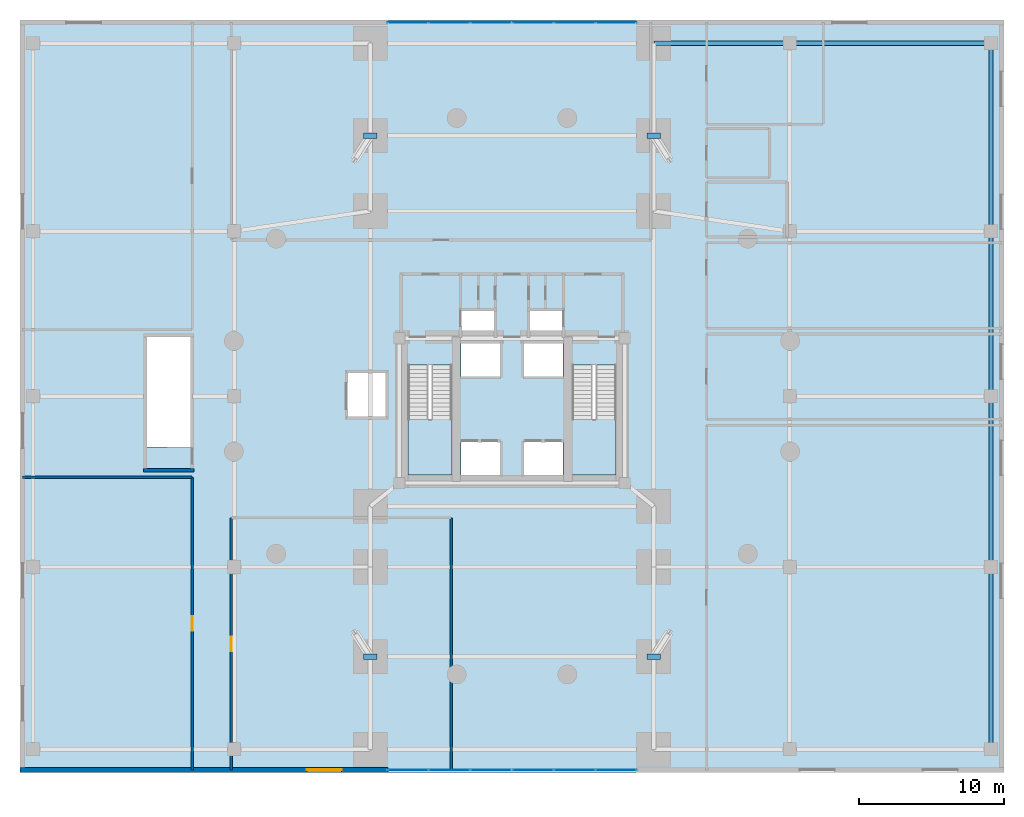
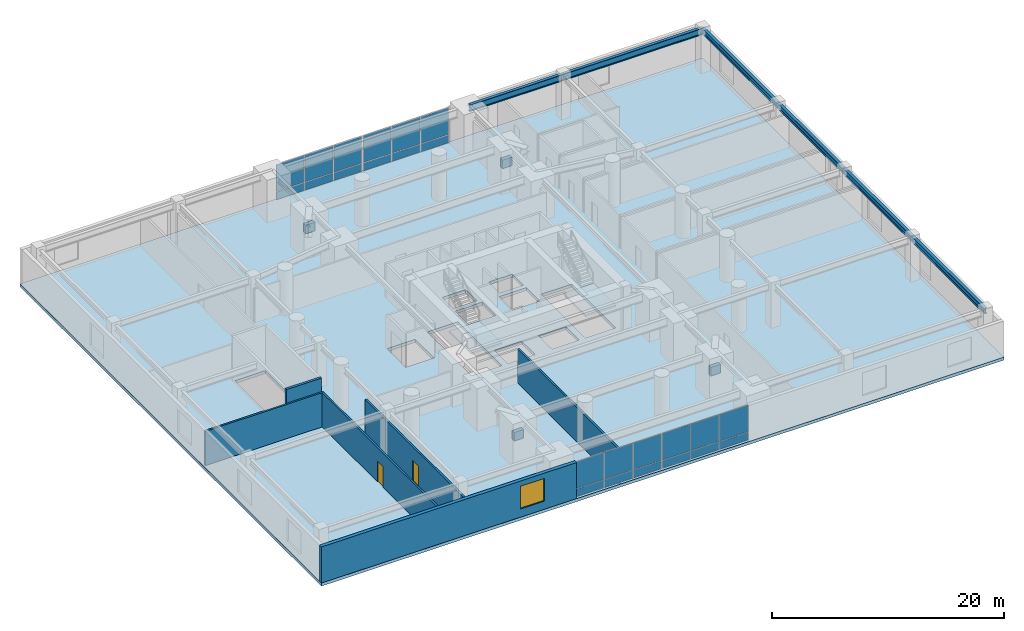
# One storey, part 13 of 17: 28 plates, 6 beams, 6 walls, 3 slabs, 2 doors, 1 window, 3 openings, 6 elements without a shape of their own.
"""IFC4 building model written with IfcOpenShell, lengths in metres."""

from ifc_helpers import new_model, si_unit, direction, frame, frame_2d, origin, origin_2d, place, context, subcontext, project, spatial, polyline, rectangle, i_section, outline, extrude, material, layer, layer_set, material_profile, profile_set, type_object, element, fill, aggregate, save


model = new_model("IFC4")

# Units and contexts
model_context = context("Model", 3, precision=1e-05, world=origin(), true_north=direction((0.0, 1.0)))
body_context = subcontext(model_context, "Body", "Model", "MODEL_VIEW")
ifc_project = project(units=[si_unit("LENGTHUNIT", "METRE"), si_unit("AREAUNIT", "SQUARE_METRE"), si_unit("VOLUMEUNIT", "CUBIC_METRE"), si_unit("PLANEANGLEUNIT", "RADIAN"), si_unit("MASSUNIT", "GRAM", prefix="KILO"), si_unit("THERMODYNAMICTEMPERATUREUNIT", "KELVIN"), si_unit("POWERUNIT", "WATT")], contexts=[model_context])

# Site, building, storey
site_placement = place(None, origin())
site = spatial("IfcSite", under=ifc_project, at=site_placement, CompositionType="ELEMENT")
building_placement = place(site_placement, origin())
building = spatial("IfcBuilding", under=site, at=building_placement, Name="Ocrelia Relay Tower", CompositionType="ELEMENT")
storey_placement = place(building_placement, frame((0.0, 0.0, 25.199951171875)))
storey = spatial("IfcBuildingStorey", under=building, at=storey_placement, Name="L05", CompositionType="ELEMENT", Elevation=25.199951171875)

# Beams
ifc_material_1 = material(Name="Steel S355", Category="steel")
ifc_material_profile_1 = material_profile(ifc_material_1, i_section(OverallWidth=0.300048828125, OverallDepth=0.60009765625, WebThickness=0.015380859375, FlangeThickness=0.030029296875, FilletRadius=0.027099609375, at=origin_2d()), Name="HEB 600")
ifc_profile_set_1 = profile_set([ifc_material_profile_1], Name="Steel S355")
beam_type_1 = type_object("IfcBeamType", Name="BM-HEB600", PredefinedType="BEAM", material=ifc_profile_set_1)
beam_1_placement = place(storey_placement, frame((67.10009765625, 1.60009765625, 4.219970703125), z_axis=(0.0, 1.0, 0.0), x_axis=(-1.0, 0.0, 0.0)))
element("IfcBeam", 1, at=beam_1_placement, inside=storey, type_object=beam_type_1, Name="L05 Podium Span Girder E-1", PredefinedType="BEAM", context=body_context, shape_type="SweptSolid", body=[
    extrude(i_section(OverallWidth=0.300048828125, OverallDepth=0.60009765625, WebThickness=0.015380859375, FlangeThickness=0.030029296875, FilletRadius=0.027099609375, at=origin_2d()), origin(), (0.0, 0.0, 1.0), 12.599853515625),
])
beam_2_placement = place(storey_placement, frame((67.10009765625, 14.199951171875, 4.219970703125), z_axis=(0.0, 1.0, 0.0), x_axis=(-1.0, 0.0, 0.0)))
element("IfcBeam", 2, at=beam_2_placement, inside=storey, type_object=beam_type_1, Name="L05 Podium Span Girder E-2", PredefinedType="BEAM", context=body_context, shape_type="SweptSolid", body=[
    extrude(i_section(OverallWidth=0.300048828125, OverallDepth=0.60009765625, WebThickness=0.015380859375, FlangeThickness=0.030029296875, FilletRadius=0.027099609375, at=origin_2d()), origin(), (0.0, 0.0, 1.0), 11.800048828125),
])
beam_3_placement = place(storey_placement, frame((67.10009765625, 26.0, 4.219970703125), z_axis=(0.0, 1.0, 0.0), x_axis=(-1.0, 0.0, 0.0)))
element("IfcBeam", 3, at=beam_3_placement, inside=storey, type_object=beam_type_1, Name="L05 Podium Span Girder E-3", PredefinedType="BEAM", context=body_context, shape_type="SweptSolid", body=[
    extrude(i_section(OverallWidth=0.300048828125, OverallDepth=0.60009765625, WebThickness=0.015380859375, FlangeThickness=0.030029296875, FilletRadius=0.027099609375, at=origin_2d()), origin(), (0.0, 0.0, 1.0), 11.39990234375),
])
beam_4_placement = place(storey_placement, frame((67.10009765625, 37.39990234375, 4.219970703125), z_axis=(0.0, 1.0, 0.0), x_axis=(-1.0, 0.0, 0.0)))
element("IfcBeam", 4, at=beam_4_placement, inside=storey, type_object=beam_type_1, Name="L05 Podium Span Girder E-4", PredefinedType="BEAM", context=body_context, shape_type="SweptSolid", body=[
    extrude(i_section(OverallWidth=0.300048828125, OverallDepth=0.60009765625, WebThickness=0.015380859375, FlangeThickness=0.030029296875, FilletRadius=0.027099609375, at=origin_2d()), origin(), (0.0, 0.0, 1.0), 13.0),
])
ifc_material_profile_2 = material_profile(ifc_material_1, i_section(OverallWidth=0.300048828125, OverallDepth=0.699951171875, WebThickness=0.01708984375, FlangeThickness=0.031982421875, FilletRadius=0.027099609375, at=origin_2d()), Name="HEB 700")
ifc_profile_set_2 = profile_set([ifc_material_profile_2], Name="Steel S355")
beam_type_2 = type_object("IfcBeamType", Name="BM-HEB700", PredefinedType="BEAM", material=ifc_profile_set_2)
beam_5_placement = place(storey_placement, frame((43.800048828125, 50.39990234375, 4.170166015625), z_axis=(1.0, 0.0, 0.0), x_axis=(0.0, 1.0, 0.0)))
element("IfcBeam", 5, at=beam_5_placement, inside=storey, type_object=beam_type_2, Name="L05 East Inner Podium Girder N", PredefinedType="BEAM", context=body_context, shape_type="SweptSolid", body=[
    extrude(i_section(OverallWidth=0.300048828125, OverallDepth=0.699951171875, WebThickness=0.01708984375, FlangeThickness=0.031982421875, FilletRadius=0.027099609375, at=origin_2d()), origin(), (0.0, 0.0, 1.0), 9.39990234375),
])
beam_6_placement = place(storey_placement, frame((53.199951171875, 50.39990234375, 4.170166015625), z_axis=(1.0, 0.0, 0.0), x_axis=(0.0, 1.0, 0.0)))
element("IfcBeam", 6, at=beam_6_placement, inside=storey, type_object=beam_type_2, Name="L05 East Outer Podium Girder N", PredefinedType="BEAM", context=body_context, shape_type="SweptSolid", body=[
    extrude(i_section(OverallWidth=0.300048828125, OverallDepth=0.699951171875, WebThickness=0.01708984375, FlangeThickness=0.031982421875, FilletRadius=0.027099609375, at=origin_2d()), origin(), (0.0, 0.0, 1.0), 13.900146484375),
])

# Curtain wall, plates
ifc_material_2 = material(Name="Aluminium and solar-control low-E glass", Category="aluminium")
ifc_layer_1 = layer(ifc_material_2, 0.179931640625, Name="Aluminium and solar-control low-E glass")
ifc_layer_set_1 = layer_set([ifc_layer_1], Name="Aluminium and solar-control low-E glass")
curtain_wall_type = type_object("IfcCurtainWallType", Name="CW-SYS-POD-GALL", PredefinedType="NOTDEFINED", material=ifc_layer_set_1)
curtain_wall_1_placement = place(storey_placement, origin())
curtain_wall_1 = element("IfcCurtainWall", 7, at=curtain_wall_1_placement, inside=storey, type_object=curtain_wall_type, Name="L05 South Over-Arch Curtain Wall West", PredefinedType="NOTDEFINED")
ifc_material_3 = material(Name="Clear double-glazed low-E glass", Category="glass")
ifc_layer_2 = layer(ifc_material_3, 0.031982421875, Name="Clear double-glazed low-E glass")
ifc_layer_set_2 = layer_set([ifc_layer_2], Name="Clear double-glazed low-E glass")
plate_type_1 = type_object("IfcPlateType", Name="CW-SYS-POD-GALL-PNL", PredefinedType="CURTAIN_PANEL", material=ifc_layer_set_2)
plate_1_placement = place(storey_placement, frame((26.80908203125, 0.179931640625, 0.06494140625), z_axis=(0.0, 0.0, 1.0), x_axis=(1.0, 0.0, 0.0)))
plate_1 = element("IfcPlate", 8, at=plate_1_placement, type_object=plate_type_1, Name="CW-PG panel 1.1", PredefinedType="CURTAIN_PANEL", context=body_context, shape_type="SweptSolid", body=[
    extrude(rectangle(XDim=2.7783203125, YDim=0.031982421875, at=origin_2d()), origin(), (0.0, 0.0, 1.0), 0.802490234375),
])
plate_2_placement = place(storey_placement, frame((26.80908203125, 0.179931640625, 0.9326171875), z_axis=(0.0, 0.0, 1.0), x_axis=(1.0, 0.0, 0.0)))
plate_2 = element("IfcPlate", 9, at=plate_2_placement, type_object=plate_type_1, Name="CW-PG panel 1.2", PredefinedType="CURTAIN_PANEL", context=body_context, shape_type="SweptSolid", body=[
    extrude(rectangle(XDim=2.7783203125, YDim=0.031982421875, at=origin_2d()), origin(), (0.0, 0.0, 1.0), 2.802490234375),
])
plate_3_placement = place(storey_placement, frame((29.675048828125, 0.179931640625, 0.06494140625), z_axis=(0.0, 0.0, 1.0), x_axis=(1.0, 0.0, 0.0)))
plate_3 = element("IfcPlate", 10, at=plate_3_placement, type_object=plate_type_1, Name="CW-PG panel 2.1", PredefinedType="CURTAIN_PANEL", context=body_context, shape_type="SweptSolid", body=[
    extrude(rectangle(XDim=2.813232421875, YDim=0.031982421875, at=origin_2d()), origin(), (0.0, 0.0, 1.0), 0.802490234375),
])
plate_4_placement = place(storey_placement, frame((29.675048828125, 0.179931640625, 0.9326171875), z_axis=(0.0, 0.0, 1.0), x_axis=(1.0, 0.0, 0.0)))
plate_4 = element("IfcPlate", 11, at=plate_4_placement, type_object=plate_type_1, Name="CW-PG panel 2.2", PredefinedType="CURTAIN_PANEL", context=body_context, shape_type="SweptSolid", body=[
    extrude(rectangle(XDim=2.813232421875, YDim=0.031982421875, at=origin_2d()), origin(), (0.0, 0.0, 1.0), 2.802490234375),
])
plate_5_placement = place(storey_placement, frame((32.540771484375, 0.179931640625, 0.06494140625), z_axis=(0.0, 0.0, 1.0), x_axis=(1.0, 0.0, 0.0)))
plate_5 = element("IfcPlate", 12, at=plate_5_placement, type_object=plate_type_1, Name="CW-PG panel 3.1", PredefinedType="CURTAIN_PANEL", context=body_context, shape_type="SweptSolid", body=[
    extrude(rectangle(XDim=2.7783203125, YDim=0.031982421875, at=origin_2d()), origin(), (0.0, 0.0, 1.0), 0.802490234375),
])
plate_6_placement = place(storey_placement, frame((32.540771484375, 0.179931640625, 0.9326171875), z_axis=(0.0, 0.0, 1.0), x_axis=(1.0, 0.0, 0.0)))
plate_6 = element("IfcPlate", 13, at=plate_6_placement, type_object=plate_type_1, Name="CW-PG panel 3.2", PredefinedType="CURTAIN_PANEL", context=body_context, shape_type="SweptSolid", body=[
    extrude(rectangle(XDim=2.7783203125, YDim=0.031982421875, at=origin_2d()), origin(), (0.0, 0.0, 1.0), 2.802490234375),
])
aggregate(curtain_wall_1, [plate_1, plate_2, plate_3, plate_4, plate_5, plate_6])

curtain_wall_2_placement = place(storey_placement, origin())
curtain_wall_2 = element("IfcCurtainWall", 14, at=curtain_wall_2_placement, inside=storey, type_object=curtain_wall_type, Name="L05 South Over-Arch Curtain Wall East", PredefinedType="NOTDEFINED")
plate_7_placement = place(storey_placement, frame((35.459228515625, 0.179931640625, 0.06494140625), z_axis=(0.0, 0.0, 1.0), x_axis=(1.0, 0.0, 0.0)))
plate_7 = element("IfcPlate", 15, at=plate_7_placement, type_object=plate_type_1, Name="CW-PG panel 1.1", PredefinedType="CURTAIN_PANEL", context=body_context, shape_type="SweptSolid", body=[
    extrude(rectangle(XDim=2.7783203125, YDim=0.031982421875, at=origin_2d()), origin(), (0.0, 0.0, 1.0), 0.802490234375),
])
plate_8_placement = place(storey_placement, frame((35.459228515625, 0.179931640625, 0.9326171875), z_axis=(0.0, 0.0, 1.0), x_axis=(1.0, 0.0, 0.0)))
plate_8 = element("IfcPlate", 16, at=plate_8_placement, type_object=plate_type_1, Name="CW-PG panel 1.2", PredefinedType="CURTAIN_PANEL", context=body_context, shape_type="SweptSolid", body=[
    extrude(rectangle(XDim=2.7783203125, YDim=0.031982421875, at=origin_2d()), origin(), (0.0, 0.0, 1.0), 2.802490234375),
])
plate_9_placement = place(storey_placement, frame((38.324951171875, 0.179931640625, 0.06494140625), z_axis=(0.0, 0.0, 1.0), x_axis=(1.0, 0.0, 0.0)))
plate_9 = element("IfcPlate", 17, at=plate_9_placement, type_object=plate_type_1, Name="CW-PG panel 2.1", PredefinedType="CURTAIN_PANEL", context=body_context, shape_type="SweptSolid", body=[
    extrude(rectangle(XDim=2.813232421875, YDim=0.031982421875, at=origin_2d()), origin(), (0.0, 0.0, 1.0), 0.802490234375),
])
plate_10_placement = place(storey_placement, frame((38.324951171875, 0.179931640625, 0.9326171875), z_axis=(0.0, 0.0, 1.0), x_axis=(1.0, 0.0, 0.0)))
plate_10 = element("IfcPlate", 18, at=plate_10_placement, type_object=plate_type_1, Name="CW-PG panel 2.2", PredefinedType="CURTAIN_PANEL", context=body_context, shape_type="SweptSolid", body=[
    extrude(rectangle(XDim=2.813232421875, YDim=0.031982421875, at=origin_2d()), origin(), (0.0, 0.0, 1.0), 2.802490234375),
])
plate_11_placement = place(storey_placement, frame((41.19091796875, 0.179931640625, 0.06494140625), z_axis=(0.0, 0.0, 1.0), x_axis=(1.0, 0.0, 0.0)))
plate_11 = element("IfcPlate", 19, at=plate_11_placement, type_object=plate_type_1, Name="CW-PG panel 3.1", PredefinedType="CURTAIN_PANEL", context=body_context, shape_type="SweptSolid", body=[
    extrude(rectangle(XDim=2.7783203125, YDim=0.031982421875, at=origin_2d()), origin(), (0.0, 0.0, 1.0), 0.802490234375),
])
plate_12_placement = place(storey_placement, frame((41.19091796875, 0.179931640625, 0.9326171875), z_axis=(0.0, 0.0, 1.0), x_axis=(1.0, 0.0, 0.0)))
plate_12 = element("IfcPlate", 20, at=plate_12_placement, type_object=plate_type_1, Name="CW-PG panel 3.2", PredefinedType="CURTAIN_PANEL", context=body_context, shape_type="SweptSolid", body=[
    extrude(rectangle(XDim=2.7783203125, YDim=0.031982421875, at=origin_2d()), origin(), (0.0, 0.0, 1.0), 2.802490234375),
])
aggregate(curtain_wall_2, [plate_7, plate_8, plate_9, plate_10, plate_11, plate_12])

curtain_wall_3_placement = place(storey_placement, origin())
curtain_wall_3 = element("IfcCurtainWall", 21, at=curtain_wall_3_placement, inside=storey, type_object=curtain_wall_type, Name="L05 North Over-Arch Curtain Wall West", PredefinedType="NOTDEFINED")
plate_13_placement = place(storey_placement, frame((26.80908203125, 51.820068359375, 0.06494140625), z_axis=(0.0, 0.0, 1.0), x_axis=(1.0, 0.0, 0.0)))
plate_13 = element("IfcPlate", 22, at=plate_13_placement, type_object=plate_type_1, Name="CW-PG panel 1.1", PredefinedType="CURTAIN_PANEL", context=body_context, shape_type="SweptSolid", body=[
    extrude(rectangle(XDim=2.7783203125, YDim=0.031982421875, at=origin_2d()), origin(), (0.0, 0.0, 1.0), 0.802490234375),
])
plate_14_placement = place(storey_placement, frame((26.80908203125, 51.820068359375, 0.9326171875), z_axis=(0.0, 0.0, 1.0), x_axis=(1.0, 0.0, 0.0)))
plate_14 = element("IfcPlate", 23, at=plate_14_placement, type_object=plate_type_1, Name="CW-PG panel 1.2", PredefinedType="CURTAIN_PANEL", context=body_context, shape_type="SweptSolid", body=[
    extrude(rectangle(XDim=2.7783203125, YDim=0.031982421875, at=origin_2d()), origin(), (0.0, 0.0, 1.0), 2.802490234375),
])
plate_15_placement = place(storey_placement, frame((29.675048828125, 51.820068359375, 0.06494140625), z_axis=(0.0, 0.0, 1.0), x_axis=(1.0, 0.0, 0.0)))
plate_15 = element("IfcPlate", 24, at=plate_15_placement, type_object=plate_type_1, Name="CW-PG panel 2.1", PredefinedType="CURTAIN_PANEL", context=body_context, shape_type="SweptSolid", body=[
    extrude(rectangle(XDim=2.813232421875, YDim=0.031982421875, at=origin_2d()), origin(), (0.0, 0.0, 1.0), 0.802490234375),
])
plate_16_placement = place(storey_placement, frame((29.675048828125, 51.820068359375, 0.9326171875), z_axis=(0.0, 0.0, 1.0), x_axis=(1.0, 0.0, 0.0)))
plate_16 = element("IfcPlate", 25, at=plate_16_placement, type_object=plate_type_1, Name="CW-PG panel 2.2", PredefinedType="CURTAIN_PANEL", context=body_context, shape_type="SweptSolid", body=[
    extrude(rectangle(XDim=2.813232421875, YDim=0.031982421875, at=origin_2d()), origin(), (0.0, 0.0, 1.0), 2.802490234375),
])
plate_17_placement = place(storey_placement, frame((32.540771484375, 51.820068359375, 0.06494140625), z_axis=(0.0, 0.0, 1.0), x_axis=(1.0, 0.0, 0.0)))
plate_17 = element("IfcPlate", 26, at=plate_17_placement, type_object=plate_type_1, Name="CW-PG panel 3.1", PredefinedType="CURTAIN_PANEL", context=body_context, shape_type="SweptSolid", body=[
    extrude(rectangle(XDim=2.7783203125, YDim=0.031982421875, at=origin_2d()), origin(), (0.0, 0.0, 1.0), 0.802490234375),
])
plate_18_placement = place(storey_placement, frame((32.540771484375, 51.820068359375, 0.9326171875), z_axis=(0.0, 0.0, 1.0), x_axis=(1.0, 0.0, 0.0)))
plate_18 = element("IfcPlate", 27, at=plate_18_placement, type_object=plate_type_1, Name="CW-PG panel 3.2", PredefinedType="CURTAIN_PANEL", context=body_context, shape_type="SweptSolid", body=[
    extrude(rectangle(XDim=2.7783203125, YDim=0.031982421875, at=origin_2d()), origin(), (0.0, 0.0, 1.0), 2.802490234375),
])
aggregate(curtain_wall_3, [plate_13, plate_14, plate_15, plate_16, plate_17, plate_18])

curtain_wall_4_placement = place(storey_placement, origin())
curtain_wall_4 = element("IfcCurtainWall", 28, at=curtain_wall_4_placement, inside=storey, type_object=curtain_wall_type, Name="L05 North Over-Arch Curtain Wall East", PredefinedType="NOTDEFINED")
plate_19_placement = place(storey_placement, frame((35.459228515625, 51.820068359375, 0.06494140625), z_axis=(0.0, 0.0, 1.0), x_axis=(1.0, 0.0, 0.0)))
plate_19 = element("IfcPlate", 29, at=plate_19_placement, type_object=plate_type_1, Name="CW-PG panel 1.1", PredefinedType="CURTAIN_PANEL", context=body_context, shape_type="SweptSolid", body=[
    extrude(rectangle(XDim=2.7783203125, YDim=0.031982421875, at=origin_2d()), origin(), (0.0, 0.0, 1.0), 0.802490234375),
])
plate_20_placement = place(storey_placement, frame((35.459228515625, 51.820068359375, 0.9326171875), z_axis=(0.0, 0.0, 1.0), x_axis=(1.0, 0.0, 0.0)))
plate_20 = element("IfcPlate", 30, at=plate_20_placement, type_object=plate_type_1, Name="CW-PG panel 1.2", PredefinedType="CURTAIN_PANEL", context=body_context, shape_type="SweptSolid", body=[
    extrude(rectangle(XDim=2.7783203125, YDim=0.031982421875, at=origin_2d()), origin(), (0.0, 0.0, 1.0), 2.802490234375),
])
plate_21_placement = place(storey_placement, frame((38.324951171875, 51.820068359375, 0.06494140625), z_axis=(0.0, 0.0, 1.0), x_axis=(1.0, 0.0, 0.0)))
plate_21 = element("IfcPlate", 31, at=plate_21_placement, type_object=plate_type_1, Name="CW-PG panel 2.1", PredefinedType="CURTAIN_PANEL", context=body_context, shape_type="SweptSolid", body=[
    extrude(rectangle(XDim=2.813232421875, YDim=0.031982421875, at=origin_2d()), origin(), (0.0, 0.0, 1.0), 0.802490234375),
])
plate_22_placement = place(storey_placement, frame((38.324951171875, 51.820068359375, 0.9326171875), z_axis=(0.0, 0.0, 1.0), x_axis=(1.0, 0.0, 0.0)))
plate_22 = element("IfcPlate", 32, at=plate_22_placement, type_object=plate_type_1, Name="CW-PG panel 2.2", PredefinedType="CURTAIN_PANEL", context=body_context, shape_type="SweptSolid", body=[
    extrude(rectangle(XDim=2.813232421875, YDim=0.031982421875, at=origin_2d()), origin(), (0.0, 0.0, 1.0), 2.802490234375),
])
plate_23_placement = place(storey_placement, frame((41.19091796875, 51.820068359375, 0.06494140625), z_axis=(0.0, 0.0, 1.0), x_axis=(1.0, 0.0, 0.0)))
plate_23 = element("IfcPlate", 33, at=plate_23_placement, type_object=plate_type_1, Name="CW-PG panel 3.1", PredefinedType="CURTAIN_PANEL", context=body_context, shape_type="SweptSolid", body=[
    extrude(rectangle(XDim=2.7783203125, YDim=0.031982421875, at=origin_2d()), origin(), (0.0, 0.0, 1.0), 0.802490234375),
])
plate_24_placement = place(storey_placement, frame((41.19091796875, 51.820068359375, 0.9326171875), z_axis=(0.0, 0.0, 1.0), x_axis=(1.0, 0.0, 0.0)))
plate_24 = element("IfcPlate", 34, at=plate_24_placement, type_object=plate_type_1, Name="CW-PG panel 3.2", PredefinedType="CURTAIN_PANEL", context=body_context, shape_type="SweptSolid", body=[
    extrude(rectangle(XDim=2.7783203125, YDim=0.031982421875, at=origin_2d()), origin(), (0.0, 0.0, 1.0), 2.802490234375),
])
aggregate(curtain_wall_4, [plate_19, plate_20, plate_21, plate_22, plate_23, plate_24])

# Plates
ifc_layer_3 = layer(ifc_material_1, 0.035888671875, Name="Steel S355")
ifc_layer_set_3 = layer_set([ifc_layer_3], Name="Steel S355")
plate_type_2 = type_object("IfcPlateType", Name="PL-NODE-ND-01", PredefinedType="USERDEFINED", material=ifc_layer_set_3)
for number, where, z_axis, x_axis, name in (
    (35, (43.800048828125, 44.0, 1.900146484375), (0.0, 0.0, 1.0), (1.0, 0.0, 0.0), "L05 Pier Raker Node ND-01 (03)"),
    (36, (24.199951171875, 44.0, 1.900146484375), (0.0, 0.0, 1.0), (1.0, 0.0, 0.0), "L05 Pier Raker Node ND-01 (06)"),
    (37, (24.199951171875, 8.0, 1.900146484375), (0.0, 0.0, 1.0), (1.0, 0.0, 0.0), "L05 Pier Raker Node ND-01 (11)"),
    (38, (43.800048828125, 8.0, 1.900146484375), (0.0, 0.0, 1.0), (1.0, 0.0, 0.0), "L05 Pier Raker Node ND-01 (14)"),
):
    element("IfcPlate", number, at=place(storey_placement, frame(where, z_axis=z_axis, x_axis=x_axis)), inside=storey, type_object=plate_type_2, Name=name, ObjectType="GUSSET PLATE", PredefinedType="USERDEFINED", context=body_context, shape_type="SweptSolid", body=[
        extrude(rectangle(XDim=0.93994140625, YDim=0.360107421875, at=origin_2d()), origin(), (0.0, 0.0, 1.0), 0.89990234375),
    ])

# Slab
ifc_material_4 = material(Name="Concrete C50/60", Category="concrete")
ifc_layer_4 = layer(ifc_material_4, 0.320068359375, Name="Concrete C50/60")
ifc_layer_set_4 = layer_set([ifc_layer_4], Name="Concrete C50/60")
slab_type_1 = type_object("IfcSlabType", Name="SL-FLR-320", PredefinedType="FLOOR", material=ifc_layer_set_4)
slab_1_placement = place(storey_placement, frame((0.0, 0.0, -0.320068359375)))
element("IfcSlab", 39, at=slab_1_placement, inside=storey, type_object=slab_type_1, Name="L05 Podium Structural Slab", PredefinedType="FLOOR", context=body_context, shape_type="SweptSolid", body=[
    extrude(outline(polyline([(0.0, 0.0), (68.0, 0.0), (68.0, 52.0), (0.0, 52.0), (0.0, 0.0)]), holes=[polyline([(26.81005859375, 28.14990234375), (26.81005859375, 20.550048828125), (29.85009765625, 20.550048828125), (29.85009765625, 28.14990234375), (26.81005859375, 28.14990234375)]), polyline([(38.159912109375, 28.14990234375), (38.159912109375, 20.550048828125), (41.199951171875, 20.550048828125), (41.199951171875, 28.14990234375), (38.159912109375, 28.14990234375)]), polyline([(11.800048828125, 22.5), (11.800048828125, 30.10009765625), (8.760009765625, 30.10009765625), (8.760009765625, 22.5), (11.800048828125, 22.5)]), polyline([(30.4599609375, 20.550048828125), (33.159912109375, 20.550048828125), (33.159912109375, 22.85009765625), (30.4599609375, 22.85009765625), (30.4599609375, 20.550048828125)]), polyline([(34.840087890625, 20.550048828125), (37.5400390625, 20.550048828125), (37.5400390625, 22.85009765625), (34.840087890625, 22.85009765625), (34.840087890625, 20.550048828125)]), polyline([(30.4599609375, 27.35009765625), (33.159912109375, 27.35009765625), (33.159912109375, 29.64990234375), (30.4599609375, 29.64990234375), (30.4599609375, 27.35009765625)]), polyline([(34.840087890625, 27.35009765625), (37.5400390625, 27.35009765625), (37.5400390625, 29.64990234375), (34.840087890625, 29.64990234375), (34.840087890625, 27.35009765625)]), polyline([(30.5, 30.10009765625), (32.85009765625, 30.10009765625), (32.85009765625, 32.0), (30.5, 32.0), (30.5, 30.10009765625)]), polyline([(35.14990234375, 30.10009765625), (37.5, 30.10009765625), (37.5, 32.0), (35.14990234375, 32.0), (35.14990234375, 30.10009765625)]), polyline([(22.550048828125, 24.5), (25.35009765625, 24.5), (25.35009765625, 27.699951171875), (22.550048828125, 27.699951171875), (22.550048828125, 24.5)])]), origin(), (0.0, 0.0, 1.0), 0.320068359375),
])

# Stair, slab
stair_type = type_object("IfcStairType", Name="ST-DL-1420-R171", PredefinedType="HALF_TURN_STAIR", material=ifc_material_4)
stair_1_placement = place(storey_placement, origin())
stair_1 = element("IfcStair", 40, at=stair_1_placement, inside=storey, type_object=stair_type, Name="L05 West Core Exit Stair ST1", PredefinedType="HALF_TURN_STAIR")
ifc_layer_5 = layer(ifc_material_4, 0.199951171875, Name="Concrete C50/60")
ifc_layer_set_5 = layer_set([ifc_layer_5], Name="Concrete C50/60")
slab_type_2 = type_object("IfcSlabType", Name="SL-LANDING-200", PredefinedType="LANDING", material=ifc_layer_set_5)
slab_2_placement = place(storey_placement, frame((0.0, 0.0, 2.199951171875)))
slab_2 = element("IfcSlab", 41, at=slab_2_placement, type_object=slab_type_2, Name="ST1 landing 1", PredefinedType="LANDING", context=body_context, shape_type="SweptSolid", body=[
    extrude(outline(polyline([(26.81005859375, 24.3798828125), (26.81005859375, 20.550048828125), (29.85009765625, 20.550048828125), (29.85009765625, 24.3798828125), (26.81005859375, 24.3798828125)])), origin(), (0.0, 0.0, 1.0), 0.2001953125),
])
aggregate(stair_1, [slab_2])

stair_2_placement = place(storey_placement, origin())
stair_2 = element("IfcStair", 42, at=stair_2_placement, inside=storey, type_object=stair_type, Name="L05 East Core Exit Stair ST2", PredefinedType="HALF_TURN_STAIR")
slab_3_placement = place(storey_placement, frame((0.0, 0.0, 2.199951171875)))
slab_3 = element("IfcSlab", 43, at=slab_3_placement, type_object=slab_type_2, Name="ST2 landing 1", PredefinedType="LANDING", context=body_context, shape_type="SweptSolid", body=[
    extrude(outline(polyline([(38.159912109375, 24.3798828125), (38.159912109375, 20.550048828125), (41.199951171875, 20.550048828125), (41.199951171875, 24.3798828125), (38.159912109375, 24.3798828125)])), origin(), (0.0, 0.0, 1.0), 0.2001953125),
])
aggregate(stair_2, [slab_3])

# Wall
ifc_layer_6 = layer(ifc_material_4, 0.239990234375, Name="Concrete C50/60")
ifc_layer_set_6 = layer_set([ifc_layer_6], Name="Concrete C50/60")
wall_type_1 = type_object("IfcWallType", Name="CW-STAIR-240", PredefinedType="SHEAR", material=ifc_layer_set_6)
wall_1_placement = place(storey_placement, frame((8.531982421875, 20.89208984375, 0.0), z_axis=(0.0, 0.0, 1.0), x_axis=(1.0, 0.0, 0.0)))
element("IfcWall", 44, at=wall_1_placement, inside=storey, type_object=wall_type_1, Name="L05 Stair ST3 Structural Shaft S Wall", PredefinedType="SHEAR", context=body_context, shape_type="SweptSolid", body=[
    extrude(rectangle(XDim=3.49609375, YDim=0.239990234375, at=frame_2d((1.748046875, 0.0))), origin(), (0.0, 0.0, 1.0), 4.800048828125),
])

# Wall, opening, door
ifc_material_5 = material(Name="Gypsum Fireboard Partition EI60", Category="gypsum")
ifc_layer_7 = layer(ifc_material_5, 0.179931640625, Name="Gypsum Fireboard Partition EI60")
ifc_layer_set_7 = layer_set([ifc_layer_7], Name="Gypsum Fireboard Partition EI60")
wall_type_2 = type_object("IfcWallType", Name="W-CORR-EI60-180", PredefinedType="PARTITIONING", material=ifc_layer_set_7)
wall_2_placement = place(storey_placement, frame((11.89990234375, 0.179931640625, 0.0), z_axis=(0.0, 0.0, 1.0), x_axis=(0.0, 1.0, 0.0)))
wall_2 = element("IfcWall", 45, at=wall_2_placement, inside=storey, type_object=wall_type_2, Name="L05 Colocation Rack Staging Hall E Partition", PredefinedType="PARTITIONING", context=body_context, shape_type="SweptSolid", body=[
    extrude(rectangle(XDim=20.219970703125, YDim=0.179931640625, at=frame_2d((10.10986328125, 0.0))), origin(), (0.0, 0.0, 1.0), 3.60009765625),
])
opening_1_placement = place(wall_2_placement, frame((9.610107421875, 0.0, 0.0)))
opening_1 = element("IfcOpeningElement", 46, at=opening_1_placement, cuts=wall_2, Name="Opening D-RM100", PredefinedType="OPENING", context=body_context, shape_type="SweptSolid", body=[
    extrude(rectangle(XDim=1.0, YDim=2.14990234375, at=frame_2d((0.5, 1.074951171875))), frame((0.0, 0.10009765625, 0.0), z_axis=(0.0, -1.0, 0.0), x_axis=(1.0, 0.0, 0.0)), (0.0, 0.0, 1.0), 0.199951171875),
])
ifc_material_6 = material(Name="Acoustic oak veneer fire door", Category="wood")
door_type = type_object("IfcDoorType", Name="DR-ROOM-FD60-1000", OperationType="NOTDEFINED", PredefinedType="DOOR", material=ifc_material_6)
door_1_placement = place(opening_1_placement, origin())
door_1 = element("IfcDoor", 47, at=door_1_placement, inside=storey, type_object=door_type, Name="L05 Colocation Rack Staging Hall Door", OperationType="SINGLE_SWING_RIGHT", OverallHeight=2.14990234375, OverallWidth=1.0, PredefinedType="DOOR", context=body_context, shape_type="SweptSolid", body=[
    extrude(rectangle(XDim=1.0, YDim=2.14990234375, at=frame_2d((0.5, 1.074951171875))), frame((0.0, 0.02490234375, 0.0), z_axis=(0.0, -1.0, 0.0), x_axis=(1.0, 0.0, 0.0)), (0.0, 0.0, 1.0), 0.050048828125),
])
fill(opening_1, door_1)

# Wall
wall_3_placement = place(storey_placement, frame((11.89990234375, 20.39990234375, 0.0), z_axis=(0.0, 0.0, 1.0), x_axis=(-1.0, 0.0, 0.0)))
element("IfcWall", 48, at=wall_3_placement, inside=storey, type_object=wall_type_2, Name="L05 Colocation Rack Staging Hall N Partition", PredefinedType="PARTITIONING", context=body_context, shape_type="SweptSolid", body=[
    extrude(rectangle(XDim=11.719970703125, YDim=0.179931640625, at=frame_2d((5.85986328125, 0.0))), origin(), (0.0, 0.0, 1.0), 3.60009765625),
])

# Wall, opening, door
wall_4_placement = place(storey_placement, frame((14.60009765625, 17.60009765625, 0.0), z_axis=(0.0, 0.0, 1.0), x_axis=(0.0, -1.0, 0.0)))
wall_4 = element("IfcWall", 49, at=wall_4_placement, inside=storey, type_object=wall_type_2, Name="L05 Client Handover Conference Room W Partition", PredefinedType="PARTITIONING", context=body_context, shape_type="SweptSolid", body=[
    extrude(rectangle(XDim=17.420166015625, YDim=0.179931640625, at=frame_2d((8.7099609375, 0.0))), origin(), (0.0, 0.0, 1.0), 3.60009765625),
])
opening_2_placement = place(wall_4_placement, frame((8.2099609375, 0.0, 0.0)))
opening_2 = element("IfcOpeningElement", 50, at=opening_2_placement, cuts=wall_4, Name="Opening D-RM100", PredefinedType="OPENING", context=body_context, shape_type="SweptSolid", body=[
    extrude(rectangle(XDim=1.0, YDim=2.14990234375, at=frame_2d((0.5, 1.074951171875))), frame((0.0, 0.10009765625, 0.0), z_axis=(0.0, -1.0, 0.0), x_axis=(1.0, 0.0, 0.0)), (0.0, 0.0, 1.0), 0.199951171875),
])
door_2_placement = place(opening_2_placement, origin())
door_2 = element("IfcDoor", 51, at=door_2_placement, inside=storey, type_object=door_type, Name="L05 Client Handover Conference Room Door", OperationType="SINGLE_SWING_RIGHT", OverallHeight=2.14990234375, OverallWidth=1.0, PredefinedType="DOOR", context=body_context, shape_type="SweptSolid", body=[
    extrude(rectangle(XDim=1.0, YDim=2.14990234375, at=frame_2d((0.5, 1.074951171875))), frame((0.0, 0.02490234375, 0.0), z_axis=(0.0, -1.0, 0.0), x_axis=(1.0, 0.0, 0.0)), (0.0, 0.0, 1.0), 0.050048828125),
])
fill(opening_2, door_2)

# Wall
wall_5_placement = place(storey_placement, frame((29.800048828125, 0.179931640625, 0.0), z_axis=(0.0, 0.0, 1.0), x_axis=(0.0, 1.0, 0.0)))
element("IfcWall", 52, at=wall_5_placement, inside=storey, type_object=wall_type_2, Name="L05 Client Handover Conference Room E Partition", PredefinedType="PARTITIONING", context=body_context, shape_type="SweptSolid", body=[
    extrude(rectangle(XDim=17.420166015625, YDim=0.179931640625, at=frame_2d((8.7099609375, 0.0))), origin(), (0.0, 0.0, 1.0), 3.60009765625),
])

# Wall, opening, window
ifc_material_7 = material(Name="Precast concrete C40/50 with oxide terracotta", Category="masonry")
ifc_layer_8 = layer(ifc_material_7, 0.35009765625, Name="Precast concrete C40/50 with oxide terracotta")
ifc_layer_set_8 = layer_set([ifc_layer_8], Name="Precast concrete C40/50 with oxide terracotta")
wall_type_3 = type_object("IfcWallType", Name="W-EXT-POD-350", PredefinedType="SOLIDWALL", material=ifc_layer_set_8)
wall_6_placement = place(storey_placement, frame((25.429931640625, 0.179931640625, 0.0), z_axis=(0.0, 0.0, 1.0), x_axis=(-1.0, 0.0, 0.0)))
wall_6 = element("IfcWall", 53, at=wall_6_placement, inside=storey, type_object=wall_type_3, Name="L05 Oxide Terracotta Podium Wall WS", PredefinedType="SOLIDWALL", context=body_context, shape_type="SweptSolid", body=[
    extrude(rectangle(XDim=25.419921875, YDim=0.35009765625, at=frame_2d((12.7099609375, 0.0))), origin(), (0.0, 0.0, 1.0), 3.800048828125),
])
opening_3_placement = place(wall_6_placement, frame((3.199951171875, 0.0, 0.85009765625)))
opening_3 = element("IfcOpeningElement", 54, at=opening_3_placement, cuts=wall_6, Name="Opening W-01", PredefinedType="OPENING", context=body_context, shape_type="SweptSolid", body=[
    extrude(rectangle(XDim=2.39990234375, YDim=2.39990234375, at=frame_2d((1.199951171875, 1.199951171875))), frame((0.0, 0.18505859375, 0.0), z_axis=(0.0, -1.0, 0.0), x_axis=(1.0, 0.0, 0.0)), (0.0, 0.0, 1.0), 0.3701171875),
])
window_type = type_object("IfcWindowType", Name="WIN-POD-2400x2600", PartitioningType="SINGLE_PANEL", PredefinedType="WINDOW", material=ifc_material_3)
window_placement = place(opening_3_placement, origin())
window = element("IfcWindow", 55, at=window_placement, inside=storey, type_object=window_type, Name="L05 Podium Punched Window WS-1", OverallHeight=2.39990234375, OverallWidth=2.39990234375, PartitioningType="SINGLE_PANEL", PredefinedType="WINDOW", context=body_context, shape_type="SweptSolid", body=[
    extrude(rectangle(XDim=2.39990234375, YDim=2.39990234375, at=frame_2d((1.199951171875, 1.199951171875))), frame((0.0, 0.030029296875, 0.0), z_axis=(0.0, -1.0, 0.0), x_axis=(1.0, 0.0, 0.0)), (0.0, 0.0, 1.0), 0.06005859375),
])
fill(opening_3, window)

save(model, "model.ifc")
